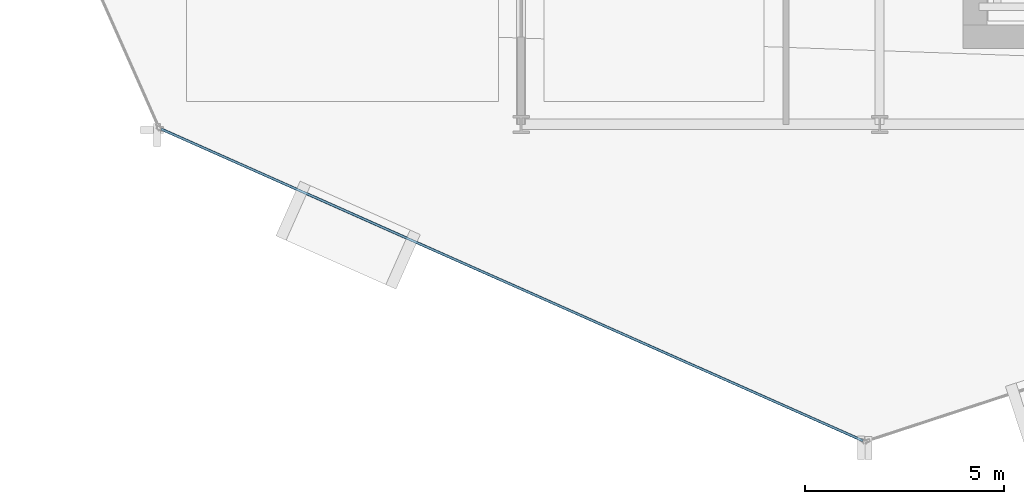
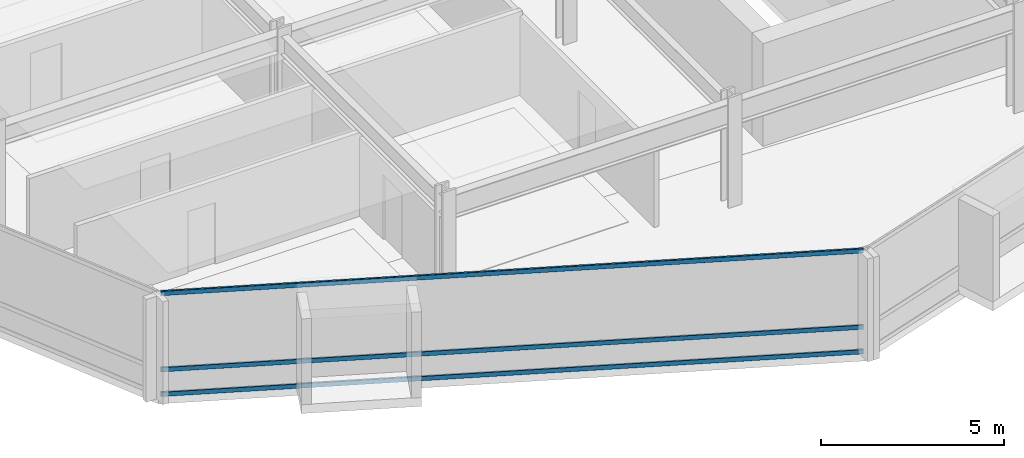
# One storey, part 3 of 28: 3 members, 1 element without a shape of its own.
"""IFC4 building model written with IfcOpenShell, lengths in metres."""

from ifc_helpers import new_model, si_unit, direction, frame, origin, origin_2d, place, context, subcontext, project, spatial, hollow_rectangle, extrude, material, layer, layer_set, material_profile, profile_set, type_object, element, aggregate, save


model = new_model("IFC4")

# Units and contexts
model_context = context("Model", 3, precision=1e-05, world=origin(), true_north=direction((0.0, 1.0)))
body_context = subcontext(model_context, "Body", "Model", "MODEL_VIEW")
ifc_project = project(units=[si_unit("LENGTHUNIT", "METRE"), si_unit("AREAUNIT", "SQUARE_METRE"), si_unit("VOLUMEUNIT", "CUBIC_METRE"), si_unit("PLANEANGLEUNIT", "RADIAN"), si_unit("MASSUNIT", "GRAM", prefix="KILO")], contexts=[model_context])

# Site, building, storey
site_placement = place(None, origin())
site = spatial("IfcSite", under=ifc_project, at=site_placement, CompositionType="ELEMENT")
building_placement = place(site_placement, origin())
building = spatial("IfcBuilding", under=site, at=building_placement, Name="Solvaryn Broadcast Tower", CompositionType="ELEMENT")
storey_placement = place(building_placement, frame((0.0, 0.0, 110.0)))
storey = spatial("IfcBuildingStorey", under=building, at=storey_placement, Name="L26", CompositionType="ELEMENT", Elevation=110.0)

# Curtain wall, members
ifc_material_1 = material(Name="Aluminium and Terracotta Unitised Curtain Wall", Category="masonry")
ifc_layer = layer(ifc_material_1, 0.199951171875)
ifc_layer_set = layer_set([ifc_layer], Name="CW-SYS2-LOWMID")
curtain_wall_type = type_object("IfcCurtainWallType", Name="CW-SYS2-LOWMID", PredefinedType="NOTDEFINED", material=ifc_layer_set)
curtain_wall_placement = place(storey_placement, origin())
curtain_wall = element("IfcCurtainWall", 1, at=curtain_wall_placement, inside=storey, type_object=curtain_wall_type, Name="L26 Curtain Wall DR3", PredefinedType="NOTDEFINED")
ifc_material_2 = material(Name="Anodised Aluminium 6063-T6", Category="aluminium")
ifc_material_profile = material_profile(ifc_material_2, hollow_rectangle(XDim=0.06494140625, YDim=0.14990234375, WallThickness=0.00390625, InnerFilletRadius=0.00390625, OuterFilletRadius=0.008056640625, at=origin_2d()))
ifc_profile_set = profile_set([ifc_material_profile], Name="Anodised Aluminium 6063-T6")
member_type = type_object("IfcMemberType", Name="CW-TRN-150", PredefinedType="USERDEFINED", material=ifc_profile_set)
member_1_placement = place(storey_placement, frame((8.962890625, 8.883544921875, 0.030029296875), z_axis=(0.913909703223, -0.405917546252, 0.0), x_axis=(0.405917546252, 0.913909703223, 0.0)))
member_1 = element("IfcMember", 2, at=member_1_placement, type_object=member_type, Name="CWS2 transom 1.1", ObjectType="TRANSOM", PredefinedType="USERDEFINED", context=body_context, shape_type="SweptSolid", body=[
    extrude(hollow_rectangle(XDim=0.06494140625, YDim=0.14990234375, WallThickness=0.00390625, InnerFilletRadius=0.00390625, OuterFilletRadius=0.008056640625, at=origin_2d()), origin(), (0.0, 0.0, 1.0), 19.27783203125),
])
member_2_placement = place(storey_placement, frame((8.962890625, 8.883544921875, 0.85009765625), z_axis=(0.913909703223, -0.405917546252, 0.0), x_axis=(0.405917546252, 0.913909703223, 0.0)))
member_2 = element("IfcMember", 3, at=member_2_placement, type_object=member_type, Name="CWS2 transom 1.2", ObjectType="TRANSOM", PredefinedType="USERDEFINED", context=body_context, shape_type="SweptSolid", body=[
    extrude(hollow_rectangle(XDim=0.06494140625, YDim=0.14990234375, WallThickness=0.00390625, InnerFilletRadius=0.00390625, OuterFilletRadius=0.008056640625, at=origin_2d()), origin(), (0.0, 0.0, 1.0), 19.27783203125),
])
member_3_placement = place(storey_placement, frame((8.962890625, 8.883544921875, 3.389892578125), z_axis=(0.913909703223, -0.405917546252, 0.0), x_axis=(0.405917546252, 0.913909703223, 0.0)))
member_3 = element("IfcMember", 4, at=member_3_placement, type_object=member_type, Name="CWS2 transom 1.3", ObjectType="TRANSOM", PredefinedType="USERDEFINED", context=body_context, shape_type="SweptSolid", body=[
    extrude(hollow_rectangle(XDim=0.06494140625, YDim=0.14990234375, WallThickness=0.00390625, InnerFilletRadius=0.00390625, OuterFilletRadius=0.008056640625, at=origin_2d()), origin(), (0.0, 0.0, 1.0), 19.27783203125),
])
aggregate(curtain_wall, [member_1, member_2, member_3])

save(model, "model.ifc")
